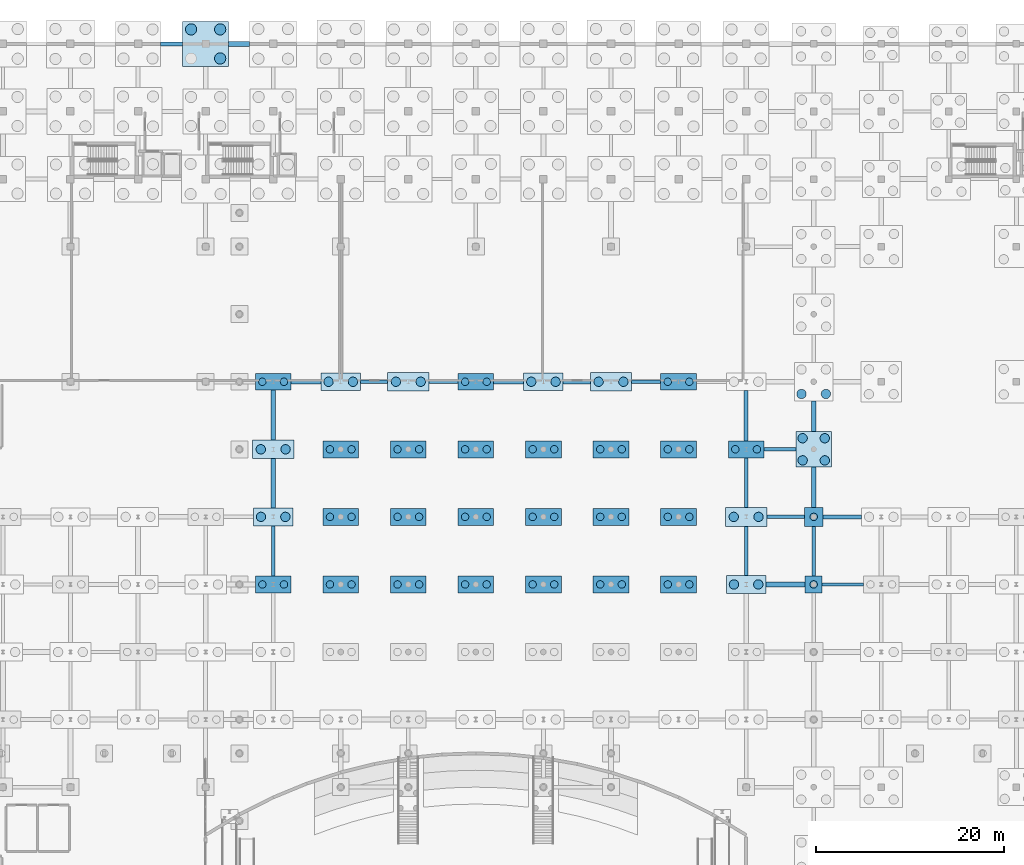
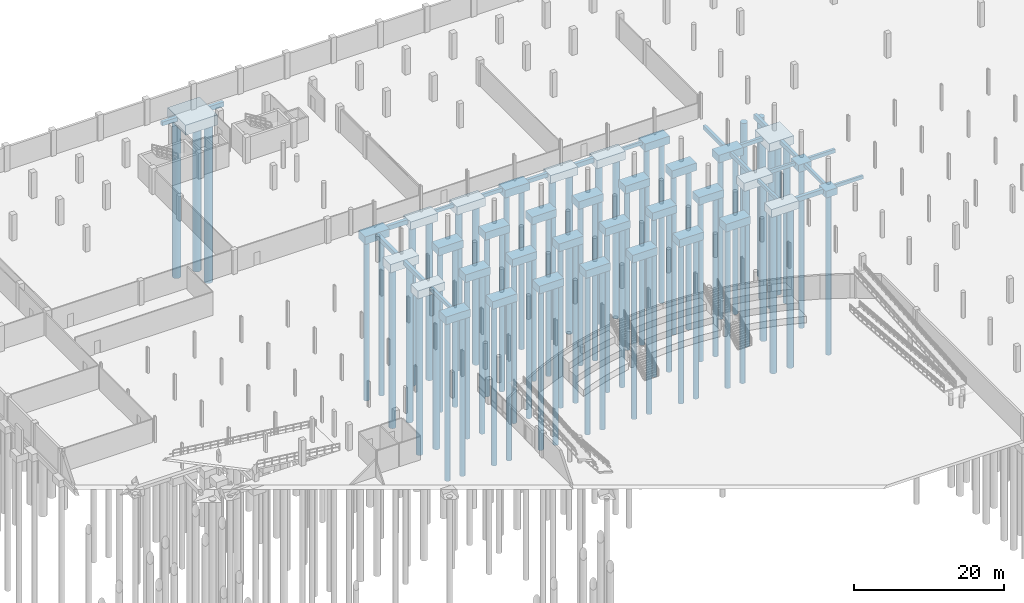
# One storey, part 9 of 56: 73 piles, 57 footings.
"""IFC4 building model written with IfcOpenShell, lengths in metres."""

from ifc_helpers import new_model, si_unit, direction, frame, origin, origin_2d, place, context, subcontext, project, spatial, rectangle, circle, extrude, material, material_profile, profile_set, type_object, element, save


model = new_model("IFC4")

# Units and contexts
model_context = context("Model", 3, precision=1e-05, world=origin(), true_north=direction((0.0, 1.0)))
body_context = subcontext(model_context, "Body", "Model", "MODEL_VIEW")
ifc_project = project(units=[si_unit("LENGTHUNIT", "METRE"), si_unit("AREAUNIT", "SQUARE_METRE"), si_unit("VOLUMEUNIT", "CUBIC_METRE"), si_unit("PLANEANGLEUNIT", "RADIAN"), si_unit("MASSUNIT", "GRAM", prefix="KILO")], contexts=[model_context])

# Site, building, storey
site_placement = place(None, origin())
site = spatial("IfcSite", under=ifc_project, at=site_placement, CompositionType="ELEMENT")
building_placement = place(site_placement, origin())
building = spatial("IfcBuilding", under=site, at=building_placement, Name="Suanplinth Sawtooth Commons", CompositionType="ELEMENT")
storey_placement = place(building_placement, frame((0.0, 0.0, -4.199951171875)))
storey = spatial("IfcBuildingStorey", under=building, at=storey_placement, Name="B1", CompositionType="ELEMENT", Elevation=-4.199951171875)

# Footings
ifc_material_1 = material(Name="Concrete C35/45", Category="concrete")
ifc_material_profile_1 = material_profile(ifc_material_1, rectangle(XDim=0.449951171875, YDim=0.64990234375, at=origin_2d()), Name="PC-GDR 450x650")
ifc_profile_set_1 = profile_set([ifc_material_profile_1], Name="Concrete C35/45")
footing_type_1 = type_object("IfcFootingType", Name="FB-01", PredefinedType="FOOTING_BEAM", material=ifc_profile_set_1)
footing_1_placement = place(storey_placement, frame((52.800048828125, 122.39990234375, -0.824951171875), z_axis=(1.0, 0.0, 0.0), x_axis=(0.0, 1.0, 0.0)))
element("IfcFooting", 1, at=footing_1_placement, inside=storey, type_object=footing_type_1, Name="Foundation Tie Beam 8-9/T", PredefinedType="FOOTING_BEAM", context=body_context, shape_type="SweptSolid", body=[
    extrude(rectangle(XDim=0.449951171875, YDim=0.64990234375, at=origin_2d()), origin(), (0.0, 0.0, 1.0), 2.349853515625),
])
footing_2_placement = place(storey_placement, frame((64.800048828125, 72.949951171875, -0.824951171875), z_axis=(0.0, 1.0, 0.0), x_axis=(-1.0, 0.0, 0.0)))
element("IfcFooting", 2, at=footing_2_placement, inside=storey, type_object=footing_type_1, Name="Foundation Tie Beam 10/L-M", PredefinedType="FOOTING_BEAM", context=body_context, shape_type="SweptSolid", body=[
    extrude(rectangle(XDim=0.449951171875, YDim=0.64990234375, at=origin_2d()), origin(), (0.0, 0.0, 1.0), 5.25),
])
footing_3_placement = place(storey_placement, frame((88.300048828125, 86.39990234375, -0.824951171875), z_axis=(1.0, 0.0, 0.0), x_axis=(0.0, 1.0, 0.0)))
element("IfcFooting", 3, at=footing_3_placement, inside=storey, type_object=footing_type_1, Name="Foundation Tie Beam 13-14/N", PredefinedType="FOOTING_BEAM", context=body_context, shape_type="SweptSolid", body=[
    extrude(rectangle(XDim=0.449951171875, YDim=0.64990234375, at=origin_2d()), origin(), (0.0, 0.0, 1.0), 3.199951171875),
])
footing_4_placement = place(storey_placement, frame((115.199951171875, 80.10009765625, -0.824951171875), z_axis=(0.0, 1.0, 0.0), x_axis=(-1.0, 0.0, 0.0)))
element("IfcFooting", 4, at=footing_4_placement, inside=storey, type_object=footing_type_1, Name="Foundation Tie Beam 17/M-N", PredefinedType="FOOTING_BEAM", context=body_context, shape_type="SweptSolid", body=[
    extrude(rectangle(XDim=0.449951171875, YDim=0.64990234375, at=origin_2d()), origin(), (0.0, 0.0, 1.0), 5.349853515625),
])
footing_5_placement = place(storey_placement, frame((122.39990234375, 73.0, -0.824951171875), z_axis=(0.0, 1.0, 0.0), x_axis=(-1.0, 0.0, 0.0)))
element("IfcFooting", 5, at=footing_5_placement, inside=storey, type_object=footing_type_1, Name="Foundation Tie Beam 18/L-M", PredefinedType="FOOTING_BEAM", context=body_context, shape_type="SweptSolid", body=[
    extrude(rectangle(XDim=0.449951171875, YDim=0.64990234375, at=origin_2d()), origin(), (0.0, 0.0, 1.0), 4.300048828125),
])
ifc_material_profile_2 = material_profile(ifc_material_1, rectangle(XDim=0.5, YDim=0.75, at=origin_2d()), Name="RC-GDR 500x750")
ifc_profile_set_2 = profile_set([ifc_material_profile_2], Name="Concrete C35/45")
footing_type_2 = type_object("IfcFootingType", Name="FB-02", PredefinedType="FOOTING_BEAM", material=ifc_profile_set_2)
footing_6_placement = place(storey_placement, frame((60.050048828125, 122.39990234375, -0.875), z_axis=(1.0, 0.0, 0.0), x_axis=(0.0, 1.0, 0.0)))
element("IfcFooting", 6, at=footing_6_placement, inside=storey, type_object=footing_type_2, Name="Foundation Tie Beam 9-10/T", PredefinedType="FOOTING_BEAM", context=body_context, shape_type="SweptSolid", body=[
    extrude(rectangle(XDim=0.5, YDim=0.75, at=origin_2d()), origin(), (0.0, 0.0, 1.0), 2.25),
])
footing_7_placement = place(storey_placement, frame((64.800048828125, 80.199951171875, -0.875), z_axis=(0.0, 1.0, 0.0), x_axis=(-1.0, 0.0, 0.0)))
element("IfcFooting", 7, at=footing_7_placement, inside=storey, type_object=footing_type_2, Name="Foundation Tie Beam 10/M-N", PredefinedType="FOOTING_BEAM", context=body_context, shape_type="SweptSolid", body=[
    extrude(rectangle(XDim=0.5, YDim=0.75, at=origin_2d()), origin(), (0.0, 0.0, 1.0), 5.300048828125),
])
footing_8_placement = place(storey_placement, frame((66.699951171875, 86.39990234375, -0.875), z_axis=(1.0, 0.0, 0.0), x_axis=(0.0, 1.0, 0.0)))
element("IfcFooting", 8, at=footing_8_placement, inside=storey, type_object=footing_type_2, Name="Foundation Tie Beam 10-11/N", PredefinedType="FOOTING_BEAM", context=body_context, shape_type="SweptSolid", body=[
    extrude(rectangle(XDim=0.5, YDim=0.75, at=origin_2d()), origin(), (0.0, 0.0, 1.0), 3.199951171875),
])
footing_9_placement = place(storey_placement, frame((95.699951171875, 86.39990234375, -0.875), z_axis=(1.0, 0.0, 0.0), x_axis=(0.0, 1.0, 0.0)))
element("IfcFooting", 9, at=footing_9_placement, inside=storey, type_object=footing_type_2, Name="Foundation Tie Beam 14-15/N", PredefinedType="FOOTING_BEAM", context=body_context, shape_type="SweptSolid", body=[
    extrude(rectangle(XDim=0.5, YDim=0.75, at=origin_2d()), origin(), (0.0, 0.0, 1.0), 2.900146484375),
])
footing_10_placement = place(storey_placement, frame((117.300048828125, 64.800048828125, -0.875), z_axis=(1.0, 0.0, 0.0), x_axis=(0.0, 1.0, 0.0)))
element("IfcFooting", 10, at=footing_10_placement, inside=storey, type_object=footing_type_2, Name="Foundation Tie Beam 17-18/K", PredefinedType="FOOTING_BEAM", context=body_context, shape_type="SweptSolid", body=[
    extrude(rectangle(XDim=0.5, YDim=0.75, at=origin_2d()), origin(), (0.0, 0.0, 1.0), 4.199951171875),
])
footing_11_placement = place(storey_placement, frame((122.39990234375, 81.10009765625, -0.875), z_axis=(0.0, 1.0, 0.0), x_axis=(-1.0, 0.0, 0.0)))
element("IfcFooting", 11, at=footing_11_placement, inside=storey, type_object=footing_type_2, Name="Foundation Tie Beam 18/M-N", PredefinedType="FOOTING_BEAM", context=body_context, shape_type="SweptSolid", body=[
    extrude(rectangle(XDim=0.5, YDim=0.75, at=origin_2d()), origin(), (0.0, 0.0, 1.0), 3.25),
])
ifc_material_profile_3 = material_profile(ifc_material_1, rectangle(XDim=0.35009765625, YDim=0.550048828125, at=origin_2d()), Name="PC-BM 350x550")
ifc_profile_set_3 = profile_set([ifc_material_profile_3], Name="Concrete C35/45")
footing_type_3 = type_object("IfcFootingType", Name="FB-03", PredefinedType="FOOTING_BEAM", material=ifc_profile_set_3)
footing_12_placement = place(storey_placement, frame((74.10009765625, 86.39990234375, -0.775146484375), z_axis=(1.0, 0.0, 0.0), x_axis=(0.0, 1.0, 0.0)))
element("IfcFooting", 12, at=footing_12_placement, inside=storey, type_object=footing_type_3, Name="Foundation Tie Beam 11-12/N", PredefinedType="FOOTING_BEAM", context=body_context, shape_type="SweptSolid", body=[
    extrude(rectangle(XDim=0.35009765625, YDim=0.550048828125, at=origin_2d()), origin(), (0.0, 0.0, 1.0), 2.89990234375),
])
footing_13_placement = place(storey_placement, frame((103.0, 86.39990234375, -0.775146484375), z_axis=(1.0, 0.0, 0.0), x_axis=(0.0, 1.0, 0.0)))
element("IfcFooting", 13, at=footing_13_placement, inside=storey, type_object=footing_type_3, Name="Foundation Tie Beam 15-16/N", PredefinedType="FOOTING_BEAM", context=body_context, shape_type="SweptSolid", body=[
    extrude(rectangle(XDim=0.35009765625, YDim=0.550048828125, at=origin_2d()), origin(), (0.0, 0.0, 1.0), 3.10009765625),
])
footing_14_placement = place(storey_placement, frame((115.199951171875, 65.75, -0.775146484375), z_axis=(0.0, 1.0, 0.0), x_axis=(-1.0, 0.0, 0.0)))
element("IfcFooting", 14, at=footing_14_placement, inside=storey, type_object=footing_type_3, Name="Foundation Tie Beam 17/K-L", PredefinedType="FOOTING_BEAM", context=body_context, shape_type="SweptSolid", body=[
    extrude(rectangle(XDim=0.35009765625, YDim=0.550048828125, at=origin_2d()), origin(), (0.0, 0.0, 1.0), 5.25),
])
footing_15_placement = place(storey_placement, frame((117.39990234375, 72.0, -0.775146484375), z_axis=(1.0, 0.0, 0.0), x_axis=(0.0, 1.0, 0.0)))
element("IfcFooting", 15, at=footing_15_placement, inside=storey, type_object=footing_type_3, Name="Foundation Tie Beam 17-18/L", PredefinedType="FOOTING_BEAM", context=body_context, shape_type="SweptSolid", body=[
    extrude(rectangle(XDim=0.35009765625, YDim=0.550048828125, at=origin_2d()), origin(), (0.0, 0.0, 1.0), 4.0),
])
footing_16_placement = place(storey_placement, frame((123.300048828125, 64.800048828125, -0.775146484375), z_axis=(1.0, 0.0, 0.0), x_axis=(0.0, 1.0, 0.0)))
element("IfcFooting", 16, at=footing_16_placement, inside=storey, type_object=footing_type_3, Name="Foundation Tie Beam 18-19/K", PredefinedType="FOOTING_BEAM", context=body_context, shape_type="SweptSolid", body=[
    extrude(rectangle(XDim=0.35009765625, YDim=0.550048828125, at=origin_2d()), origin(), (0.0, 0.0, 1.0), 4.39990234375),
])
ifc_material_profile_4 = material_profile(ifc_material_1, rectangle(XDim=0.39990234375, YDim=0.60009765625, at=origin_2d()), Name="PC-GDR 400x600")
ifc_profile_set_4 = profile_set([ifc_material_profile_4], Name="Concrete C35/45")
footing_type_4 = type_object("IfcFootingType", Name="FB-04", PredefinedType="FOOTING_BEAM", material=ifc_profile_set_4)
footing_17_placement = place(storey_placement, frame((64.800048828125, 65.699951171875, -0.800048828125), z_axis=(0.0, 1.0, 0.0), x_axis=(-1.0, 0.0, 0.0)))
element("IfcFooting", 17, at=footing_17_placement, inside=storey, type_object=footing_type_4, Name="Foundation Tie Beam 10/K-L", PredefinedType="FOOTING_BEAM", context=body_context, shape_type="SweptSolid", body=[
    extrude(rectangle(XDim=0.39990234375, YDim=0.60009765625, at=origin_2d()), origin(), (0.0, 0.0, 1.0), 5.35009765625),
])
footing_18_placement = place(storey_placement, frame((81.39990234375, 86.39990234375, -0.800048828125), z_axis=(1.0, 0.0, 0.0), x_axis=(0.0, 1.0, 0.0)))
element("IfcFooting", 18, at=footing_18_placement, inside=storey, type_object=footing_type_4, Name="Foundation Tie Beam 12-13/N", PredefinedType="FOOTING_BEAM", context=body_context, shape_type="SweptSolid", body=[
    extrude(rectangle(XDim=0.39990234375, YDim=0.60009765625, at=origin_2d()), origin(), (0.0, 0.0, 1.0), 3.10009765625),
])
footing_19_placement = place(storey_placement, frame((115.199951171875, 73.0, -0.800048828125), z_axis=(0.0, 1.0, 0.0), x_axis=(-1.0, 0.0, 0.0)))
element("IfcFooting", 19, at=footing_19_placement, inside=storey, type_object=footing_type_4, Name="Foundation Tie Beam 17/L-M", PredefinedType="FOOTING_BEAM", context=body_context, shape_type="SweptSolid", body=[
    extrude(rectangle(XDim=0.39990234375, YDim=0.60009765625, at=origin_2d()), origin(), (0.0, 0.0, 1.0), 5.300048828125),
])
footing_20_placement = place(storey_placement, frame((117.10009765625, 79.199951171875, -0.800048828125), z_axis=(1.0, 0.0, 0.0), x_axis=(0.0, 1.0, 0.0)))
element("IfcFooting", 20, at=footing_20_placement, inside=storey, type_object=footing_type_4, Name="Foundation Tie Beam 17-18/M", PredefinedType="FOOTING_BEAM", context=body_context, shape_type="SweptSolid", body=[
    extrude(rectangle(XDim=0.39990234375, YDim=0.60009765625, at=origin_2d()), origin(), (0.0, 0.0, 1.0), 3.39990234375),
])
footing_21_placement = place(storey_placement, frame((122.39990234375, 65.699951171875, -0.800048828125), z_axis=(0.0, 1.0, 0.0), x_axis=(-1.0, 0.0, 0.0)))
element("IfcFooting", 21, at=footing_21_placement, inside=storey, type_object=footing_type_4, Name="Foundation Tie Beam 18/K-L", PredefinedType="FOOTING_BEAM", context=body_context, shape_type="SweptSolid", body=[
    extrude(rectangle(XDim=0.39990234375, YDim=0.60009765625, at=origin_2d()), origin(), (0.0, 0.0, 1.0), 5.300048828125),
])
footing_22_placement = place(storey_placement, frame((123.39990234375, 72.0, -0.800048828125), z_axis=(1.0, 0.0, 0.0), x_axis=(0.0, 1.0, 0.0)))
element("IfcFooting", 22, at=footing_22_placement, inside=storey, type_object=footing_type_4, Name="Foundation Tie Beam 18-19/L", PredefinedType="FOOTING_BEAM", context=body_context, shape_type="SweptSolid", body=[
    extrude(rectangle(XDim=0.39990234375, YDim=0.60009765625, at=origin_2d()), origin(), (0.0, 0.0, 1.0), 4.10009765625),
])
footing_type_5 = type_object("IfcFootingType", Name="FC-01", PredefinedType="PILE_CAP", material=ifc_material_1)
footing_23_placement = place(storey_placement, frame((122.39990234375, 64.800048828125, -1.60009765625), z_axis=(0.0, 0.0, 1.0), x_axis=(1.0, 0.0, 0.0)))
element("IfcFooting", 23, at=footing_23_placement, inside=storey, type_object=footing_type_5, Name="Pile Cap 18/K", PredefinedType="PILE_CAP", context=body_context, shape_type="SweptSolid", body=[
    extrude(rectangle(XDim=1.800048828125, YDim=1.800048828125, at=origin_2d()), origin(), (0.0, 0.0, 1.0), 1.10009765625),
])
footing_type_6 = type_object("IfcFootingType", Name="FC-02", PredefinedType="PILE_CAP", material=ifc_material_1)
footing_24_placement = place(storey_placement, frame((122.39990234375, 72.0, -1.7001953125), z_axis=(0.0, 0.0, 1.0), x_axis=(1.0, 0.0, 0.0)))
element("IfcFooting", 24, at=footing_24_placement, inside=storey, type_object=footing_type_6, Name="Pile Cap 18/L", PredefinedType="PILE_CAP", context=body_context, shape_type="SweptSolid", body=[
    extrude(rectangle(XDim=2.0, YDim=2.0, at=origin_2d()), origin(), (0.0, 0.0, 1.0), 1.199951171875),
])
footing_type_7 = type_object("IfcFootingType", Name="FC-03", PredefinedType="PILE_CAP", material=ifc_material_1)
for number, where, z_axis, x_axis, name in (
    (25, (64.800048828125, 64.800048828125, -1.75), (0.0, 0.0, 1.0), (1.0, 0.0, 0.0), "Pile Cap 10/K"),
    (26, (64.800048828125, 86.39990234375, -1.75), (0.0, 0.0, 1.0), (1.0, 0.0, 0.0), "Pile Cap 10/N"),
    (27, (86.39990234375, 86.39990234375, -1.75), (0.0, 0.0, 1.0), (1.0, 0.0, 0.0), "Pile Cap 13/N"),
    (28, (108.0, 86.39990234375, -1.75), (0.0, 0.0, 1.0), (1.0, 0.0, 0.0), "Pile Cap 16/N"),
    (29, (115.199951171875, 79.199951171875, -1.75), (0.0, 0.0, 1.0), (1.0, 0.0, 0.0), "Pile Cap 17/M"),
    (30, (72.0, 64.800048828125, -1.75), (0.0, 0.0, 1.0), (1.0, 0.0, 0.0), "Hall Substructure Cap 11/K"),
    (31, (72.0, 72.0, -1.75), (0.0, 0.0, 1.0), (1.0, 0.0, 0.0), "Hall Substructure Cap 11/L"),
    (32, (72.0, 79.199951171875, -1.75), (0.0, 0.0, 1.0), (1.0, 0.0, 0.0), "Hall Substructure Cap 11/M"),
    (33, (79.199951171875, 64.800048828125, -1.75), (0.0, 0.0, 1.0), (1.0, 0.0, 0.0), "Hall Substructure Cap 12/K"),
    (34, (79.199951171875, 72.0, -1.75), (0.0, 0.0, 1.0), (1.0, 0.0, 0.0), "Hall Substructure Cap 12/L"),
    (35, (79.199951171875, 79.199951171875, -1.75), (0.0, 0.0, 1.0), (1.0, 0.0, 0.0), "Hall Substructure Cap 12/M"),
    (36, (86.39990234375, 64.800048828125, -1.75), (0.0, 0.0, 1.0), (1.0, 0.0, 0.0), "Hall Substructure Cap 13/K"),
    (37, (86.39990234375, 72.0, -1.75), (0.0, 0.0, 1.0), (1.0, 0.0, 0.0), "Hall Substructure Cap 13/L"),
    (38, (86.39990234375, 79.199951171875, -1.75), (0.0, 0.0, 1.0), (1.0, 0.0, 0.0), "Hall Substructure Cap 13/M"),
    (39, (93.60009765625, 64.800048828125, -1.75), (0.0, 0.0, 1.0), (1.0, 0.0, 0.0), "Hall Substructure Cap 14/K"),
    (40, (93.60009765625, 72.0, -1.75), (0.0, 0.0, 1.0), (1.0, 0.0, 0.0), "Hall Substructure Cap 14/L"),
    (41, (93.60009765625, 79.199951171875, -1.75), (0.0, 0.0, 1.0), (1.0, 0.0, 0.0), "Hall Substructure Cap 14/M"),
    (42, (100.800048828125, 64.800048828125, -1.75), (0.0, 0.0, 1.0), (1.0, 0.0, 0.0), "Hall Substructure Cap 15/K"),
    (43, (100.800048828125, 72.0, -1.75), (0.0, 0.0, 1.0), (1.0, 0.0, 0.0), "Hall Substructure Cap 15/L"),
    (44, (100.800048828125, 79.199951171875, -1.75), (0.0, 0.0, 1.0), (1.0, 0.0, 0.0), "Hall Substructure Cap 15/M"),
    (45, (108.0, 64.800048828125, -1.75), (0.0, 0.0, 1.0), (1.0, 0.0, 0.0), "Hall Substructure Cap 16/K"),
    (46, (108.0, 72.0, -1.75), (0.0, 0.0, 1.0), (1.0, 0.0, 0.0), "Hall Substructure Cap 16/L"),
    (47, (108.0, 79.199951171875, -1.75), (0.0, 0.0, 1.0), (1.0, 0.0, 0.0), "Hall Substructure Cap 16/M"),
):
    element("IfcFooting", number, at=place(storey_placement, frame(where, z_axis=z_axis, x_axis=x_axis)), inside=storey, type_object=footing_type_7, Name=name, PredefinedType="PILE_CAP", context=body_context, shape_type="SweptSolid", body=[
        extrude(rectangle(XDim=3.800048828125, YDim=1.800048828125, at=origin_2d()), origin(), (0.0, 0.0, 1.0), 1.25),
    ])
footing_type_8 = type_object("IfcFootingType", Name="FC-04", PredefinedType="PILE_CAP", material=ifc_material_1)
for number, where, z_axis, x_axis, name in (
    (48, (64.800048828125, 72.0, -1.80029296875), (0.0, 0.0, 1.0), (1.0, 0.0, 0.0), "Pile Cap 10/L"),
    (49, (72.0, 86.39990234375, -1.80029296875), (0.0, 0.0, 1.0), (1.0, 0.0, 0.0), "Pile Cap 11/N"),
    (50, (93.60009765625, 86.39990234375, -1.80029296875), (0.0, 0.0, 1.0), (1.0, 0.0, 0.0), "Pile Cap 14/N"),
    (51, (115.199951171875, 64.800048828125, -1.80029296875), (0.0, 0.0, 1.0), (1.0, 0.0, 0.0), "Pile Cap 17/K"),
):
    element("IfcFooting", number, at=place(storey_placement, frame(where, z_axis=z_axis, x_axis=x_axis)), inside=storey, type_object=footing_type_8, Name=name, PredefinedType="PILE_CAP", context=body_context, shape_type="SweptSolid", body=[
        extrude(rectangle(XDim=4.199951171875, YDim=1.89990234375, at=origin_2d()), origin(), (0.0, 0.0, 1.0), 1.300048828125),
    ])
footing_type_9 = type_object("IfcFootingType", Name="FC-05", PredefinedType="PILE_CAP", material=ifc_material_1)
for number, where, z_axis, x_axis, name in (
    (52, (64.800048828125, 79.199951171875, -1.85009765625), (0.0, 0.0, 1.0), (1.0, 0.0, 0.0), "Pile Cap 10/M"),
    (53, (79.199951171875, 86.39990234375, -1.85009765625), (0.0, 0.0, 1.0), (1.0, 0.0, 0.0), "Pile Cap 12/N"),
    (54, (100.800048828125, 86.39990234375, -1.85009765625), (0.0, 0.0, 1.0), (1.0, 0.0, 0.0), "Pile Cap 15/N"),
    (55, (115.199951171875, 72.0, -1.85009765625), (0.0, 0.0, 1.0), (1.0, 0.0, 0.0), "Pile Cap 17/L"),
):
    element("IfcFooting", number, at=place(storey_placement, frame(where, z_axis=z_axis, x_axis=x_axis)), inside=storey, type_object=footing_type_9, Name=name, PredefinedType="PILE_CAP", context=body_context, shape_type="SweptSolid", body=[
        extrude(rectangle(XDim=4.39990234375, YDim=2.0, at=origin_2d()), origin(), (0.0, 0.0, 1.0), 1.35009765625),
    ])
footing_type_10 = type_object("IfcFootingType", Name="FC-06", PredefinedType="PILE_CAP", material=ifc_material_1)
footing_25_placement = place(storey_placement, frame((122.39990234375, 79.199951171875, -1.85009765625), z_axis=(0.0, 0.0, 1.0), x_axis=(1.0, 0.0, 0.0)))
element("IfcFooting", 56, at=footing_25_placement, inside=storey, type_object=footing_type_10, Name="Pile Cap 18/M", PredefinedType="PILE_CAP", context=body_context, shape_type="SweptSolid", body=[
    extrude(rectangle(XDim=3.800048828125, YDim=3.800048828125, at=origin_2d()), origin(), (0.0, 0.0, 1.0), 1.35009765625),
])
footing_type_11 = type_object("IfcFootingType", Name="FC-12", PredefinedType="PILE_CAP", material=ifc_material_1)
footing_26_placement = place(storey_placement, frame((57.60009765625, 122.39990234375, -2.14990234375), z_axis=(0.0, 0.0, 1.0), x_axis=(1.0, 0.0, 0.0)))
element("IfcFooting", 57, at=footing_26_placement, inside=storey, type_object=footing_type_11, Name="Pile Cap 9/T", PredefinedType="PILE_CAP", context=body_context, shape_type="SweptSolid", body=[
    extrude(rectangle(XDim=4.89990234375, YDim=4.800048828125, at=origin_2d()), origin(), (0.0, 0.0, 1.0), 1.64990234375),
])

# Piles
ifc_material_2 = material(Name="Concrete C32/40", Category="concrete")
ifc_material_profile_5 = material_profile(ifc_material_2, circle(Radius=0.39990234375, at=origin_2d()), Name="PILE D800")
ifc_profile_set_5 = profile_set([ifc_material_profile_5], Name="Concrete C32/40")
pile_type_1 = type_object("IfcPileType", Name="P-01", PredefinedType="BORED", material=ifc_profile_set_5)
for number, where, z_axis, x_axis, name in (
    (58, (63.64990234375, 64.800048828125, -1.650146484375), (0.0, 0.0, -1.0), (1.0, 0.0, 0.0), "Bored Pile 10/K-1"),
    (59, (65.949951171875, 64.800048828125, -1.650146484375), (0.0, 0.0, -1.0), (1.0, 0.0, 0.0), "Bored Pile 10/K-2"),
    (60, (63.64990234375, 86.39990234375, -1.650146484375), (0.0, 0.0, -1.0), (1.0, 0.0, 0.0), "Bored Pile 10/N-1"),
    (61, (65.949951171875, 86.39990234375, -1.650146484375), (0.0, 0.0, -1.0), (1.0, 0.0, 0.0), "Bored Pile 10/N-2"),
    (62, (85.25, 86.39990234375, -1.650146484375), (0.0, 0.0, -1.0), (1.0, 0.0, 0.0), "Bored Pile 13/N-1"),
    (63, (87.550048828125, 86.39990234375, -1.650146484375), (0.0, 0.0, -1.0), (1.0, 0.0, 0.0), "Bored Pile 13/N-2"),
    (64, (106.85009765625, 86.39990234375, -1.650146484375), (0.0, 0.0, -1.0), (1.0, 0.0, 0.0), "Bored Pile 16/N-1"),
    (65, (109.14990234375, 86.39990234375, -1.650146484375), (0.0, 0.0, -1.0), (1.0, 0.0, 0.0), "Bored Pile 16/N-2"),
    (66, (114.050048828125, 79.199951171875, -1.650146484375), (0.0, 0.0, -1.0), (1.0, 0.0, 0.0), "Bored Pile 17/M-1"),
    (67, (116.35009765625, 79.199951171875, -1.650146484375), (0.0, 0.0, -1.0), (1.0, 0.0, 0.0), "Bored Pile 17/M-2"),
):
    element("IfcPile", number, at=place(storey_placement, frame(where, z_axis=z_axis, x_axis=x_axis)), inside=storey, type_object=pile_type_1, Name=name, PredefinedType="BORED", context=body_context, shape_type="SweptSolid", body=[
        extrude(circle(Radius=0.39990234375, at=origin_2d()), origin(), (0.0, 0.0, 1.0), 26.14990234375),
    ])
pile_1_placement = place(storey_placement, frame((122.39990234375, 64.800048828125, -1.5), z_axis=(0.0, 0.0, -1.0), x_axis=(1.0, 0.0, 0.0)))
element("IfcPile", 68, at=pile_1_placement, inside=storey, type_object=pile_type_1, Name="Bored Pile 18/K-1", PredefinedType="BORED", context=body_context, shape_type="SweptSolid", body=[
    extrude(circle(Radius=0.39990234375, at=origin_2d()), origin(), (0.0, 0.0, 1.0), 26.300048828125),
])
pile_2_placement = place(storey_placement, frame((122.39990234375, 72.0, -1.60009765625), z_axis=(0.0, 0.0, -1.0), x_axis=(1.0, 0.0, 0.0)))
element("IfcPile", 69, at=pile_2_placement, inside=storey, type_object=pile_type_1, Name="Bored Pile 18/L-1", PredefinedType="BORED", context=body_context, shape_type="SweptSolid", body=[
    extrude(circle(Radius=0.39990234375, at=origin_2d()), origin(), (0.0, 0.0, 1.0), 26.199951171875),
])
for number, where, z_axis, x_axis, name in (
    (70, (70.85009765625, 64.800048828125, -1.650146484375), (0.0, 0.0, -1.0), (1.0, 0.0, 0.0), "Hall Substructure Pile 11/K-1"),
    (71, (73.14990234375, 64.800048828125, -1.650146484375), (0.0, 0.0, -1.0), (1.0, 0.0, 0.0), "Hall Substructure Pile 11/K-2"),
    (72, (70.85009765625, 72.0, -1.650146484375), (0.0, 0.0, -1.0), (1.0, 0.0, 0.0), "Hall Substructure Pile 11/L-1"),
    (73, (73.14990234375, 72.0, -1.650146484375), (0.0, 0.0, -1.0), (1.0, 0.0, 0.0), "Hall Substructure Pile 11/L-2"),
    (74, (70.85009765625, 79.199951171875, -1.650146484375), (0.0, 0.0, -1.0), (1.0, 0.0, 0.0), "Hall Substructure Pile 11/M-1"),
    (75, (73.14990234375, 79.199951171875, -1.650146484375), (0.0, 0.0, -1.0), (1.0, 0.0, 0.0), "Hall Substructure Pile 11/M-2"),
    (76, (78.050048828125, 64.800048828125, -1.650146484375), (0.0, 0.0, -1.0), (1.0, 0.0, 0.0), "Hall Substructure Pile 12/K-1"),
    (77, (80.35009765625, 64.800048828125, -1.650146484375), (0.0, 0.0, -1.0), (1.0, 0.0, 0.0), "Hall Substructure Pile 12/K-2"),
    (78, (78.050048828125, 72.0, -1.650146484375), (0.0, 0.0, -1.0), (1.0, 0.0, 0.0), "Hall Substructure Pile 12/L-1"),
    (79, (80.35009765625, 72.0, -1.650146484375), (0.0, 0.0, -1.0), (1.0, 0.0, 0.0), "Hall Substructure Pile 12/L-2"),
    (80, (78.050048828125, 79.199951171875, -1.650146484375), (0.0, 0.0, -1.0), (1.0, 0.0, 0.0), "Hall Substructure Pile 12/M-1"),
    (81, (80.35009765625, 79.199951171875, -1.650146484375), (0.0, 0.0, -1.0), (1.0, 0.0, 0.0), "Hall Substructure Pile 12/M-2"),
    (82, (85.25, 64.800048828125, -1.650146484375), (0.0, 0.0, -1.0), (1.0, 0.0, 0.0), "Hall Substructure Pile 13/K-1"),
    (83, (87.550048828125, 64.800048828125, -1.650146484375), (0.0, 0.0, -1.0), (1.0, 0.0, 0.0), "Hall Substructure Pile 13/K-2"),
    (84, (85.25, 72.0, -1.650146484375), (0.0, 0.0, -1.0), (1.0, 0.0, 0.0), "Hall Substructure Pile 13/L-1"),
    (85, (87.550048828125, 72.0, -1.650146484375), (0.0, 0.0, -1.0), (1.0, 0.0, 0.0), "Hall Substructure Pile 13/L-2"),
    (86, (85.25, 79.199951171875, -1.650146484375), (0.0, 0.0, -1.0), (1.0, 0.0, 0.0), "Hall Substructure Pile 13/M-1"),
    (87, (87.550048828125, 79.199951171875, -1.650146484375), (0.0, 0.0, -1.0), (1.0, 0.0, 0.0), "Hall Substructure Pile 13/M-2"),
    (88, (92.449951171875, 64.800048828125, -1.650146484375), (0.0, 0.0, -1.0), (1.0, 0.0, 0.0), "Hall Substructure Pile 14/K-1"),
    (89, (94.75, 64.800048828125, -1.650146484375), (0.0, 0.0, -1.0), (1.0, 0.0, 0.0), "Hall Substructure Pile 14/K-2"),
    (90, (92.449951171875, 72.0, -1.650146484375), (0.0, 0.0, -1.0), (1.0, 0.0, 0.0), "Hall Substructure Pile 14/L-1"),
    (91, (94.75, 72.0, -1.650146484375), (0.0, 0.0, -1.0), (1.0, 0.0, 0.0), "Hall Substructure Pile 14/L-2"),
    (92, (92.449951171875, 79.199951171875, -1.650146484375), (0.0, 0.0, -1.0), (1.0, 0.0, 0.0), "Hall Substructure Pile 14/M-1"),
    (93, (94.75, 79.199951171875, -1.650146484375), (0.0, 0.0, -1.0), (1.0, 0.0, 0.0), "Hall Substructure Pile 14/M-2"),
    (94, (99.64990234375, 64.800048828125, -1.650146484375), (0.0, 0.0, -1.0), (1.0, 0.0, 0.0), "Hall Substructure Pile 15/K-1"),
    (95, (101.949951171875, 64.800048828125, -1.650146484375), (0.0, 0.0, -1.0), (1.0, 0.0, 0.0), "Hall Substructure Pile 15/K-2"),
    (96, (99.64990234375, 72.0, -1.650146484375), (0.0, 0.0, -1.0), (1.0, 0.0, 0.0), "Hall Substructure Pile 15/L-1"),
    (97, (101.949951171875, 72.0, -1.650146484375), (0.0, 0.0, -1.0), (1.0, 0.0, 0.0), "Hall Substructure Pile 15/L-2"),
    (98, (99.64990234375, 79.199951171875, -1.650146484375), (0.0, 0.0, -1.0), (1.0, 0.0, 0.0), "Hall Substructure Pile 15/M-1"),
    (99, (101.949951171875, 79.199951171875, -1.650146484375), (0.0, 0.0, -1.0), (1.0, 0.0, 0.0), "Hall Substructure Pile 15/M-2"),
    (100, (106.85009765625, 64.800048828125, -1.650146484375), (0.0, 0.0, -1.0), (1.0, 0.0, 0.0), "Hall Substructure Pile 16/K-1"),
    (101, (109.14990234375, 64.800048828125, -1.650146484375), (0.0, 0.0, -1.0), (1.0, 0.0, 0.0), "Hall Substructure Pile 16/K-2"),
    (102, (106.85009765625, 72.0, -1.650146484375), (0.0, 0.0, -1.0), (1.0, 0.0, 0.0), "Hall Substructure Pile 16/L-1"),
    (103, (109.14990234375, 72.0, -1.650146484375), (0.0, 0.0, -1.0), (1.0, 0.0, 0.0), "Hall Substructure Pile 16/L-2"),
    (104, (106.85009765625, 79.199951171875, -1.650146484375), (0.0, 0.0, -1.0), (1.0, 0.0, 0.0), "Hall Substructure Pile 16/M-1"),
    (105, (109.14990234375, 79.199951171875, -1.650146484375), (0.0, 0.0, -1.0), (1.0, 0.0, 0.0), "Hall Substructure Pile 16/M-2"),
):
    element("IfcPile", number, at=place(storey_placement, frame(where, z_axis=z_axis, x_axis=x_axis)), inside=storey, type_object=pile_type_1, Name=name, PredefinedType="BORED", context=body_context, shape_type="SweptSolid", body=[
        extrude(circle(Radius=0.39990234375, at=origin_2d()), origin(), (0.0, 0.0, 1.0), 26.14990234375),
    ])
ifc_material_profile_6 = material_profile(ifc_material_2, circle(Radius=0.5, at=origin_2d()), Name="PILE D1000")
ifc_profile_set_6 = profile_set([ifc_material_profile_6], Name="Concrete C32/40")
pile_type_2 = type_object("IfcPileType", Name="P-02", PredefinedType="BORED", material=ifc_profile_set_6)
for number, where, z_axis, x_axis, name in (
    (106, (63.5, 72.0, -1.699951171875), (0.0, 0.0, -1.0), (1.0, 0.0, 0.0), "Bored Pile 10/L-1"),
    (107, (66.10009765625, 72.0, -1.699951171875), (0.0, 0.0, -1.0), (1.0, 0.0, 0.0), "Bored Pile 10/L-2"),
):
    element("IfcPile", number, at=place(storey_placement, frame(where, z_axis=z_axis, x_axis=x_axis)), inside=storey, type_object=pile_type_2, Name=name, PredefinedType="BORED", context=body_context, shape_type="SweptSolid", body=[
        extrude(circle(Radius=0.5, at=origin_2d()), origin(), (0.0, 0.0, 1.0), 26.10009765625),
    ])
for number, where, z_axis, x_axis, name in (
    (108, (63.47998046875, 79.199951171875, -1.75), (0.0, 0.0, -1.0), (1.0, 0.0, 0.0), "Bored Pile 10/M-1"),
    (109, (66.1201171875, 79.199951171875, -1.75), (0.0, 0.0, -1.0), (1.0, 0.0, 0.0), "Bored Pile 10/M-2"),
):
    element("IfcPile", number, at=place(storey_placement, frame(where, z_axis=z_axis, x_axis=x_axis)), inside=storey, type_object=pile_type_2, Name=name, PredefinedType="BORED", context=body_context, shape_type="SweptSolid", body=[
        extrude(circle(Radius=0.5, at=origin_2d()), origin(), (0.0, 0.0, 1.0), 26.050048828125),
    ])
for number, where, z_axis, x_axis, name in (
    (110, (70.699951171875, 86.39990234375, -1.699951171875), (0.0, 0.0, -1.0), (1.0, 0.0, 0.0), "Bored Pile 11/N-1"),
    (111, (73.300048828125, 86.39990234375, -1.699951171875), (0.0, 0.0, -1.0), (1.0, 0.0, 0.0), "Bored Pile 11/N-2"),
):
    element("IfcPile", number, at=place(storey_placement, frame(where, z_axis=z_axis, x_axis=x_axis)), inside=storey, type_object=pile_type_2, Name=name, PredefinedType="BORED", context=body_context, shape_type="SweptSolid", body=[
        extrude(circle(Radius=0.5, at=origin_2d()), origin(), (0.0, 0.0, 1.0), 26.10009765625),
    ])
for number, where, z_axis, x_axis, name in (
    (112, (77.8798828125, 86.39990234375, -1.75), (0.0, 0.0, -1.0), (1.0, 0.0, 0.0), "Bored Pile 12/N-1"),
    (113, (80.52001953125, 86.39990234375, -1.75), (0.0, 0.0, -1.0), (1.0, 0.0, 0.0), "Bored Pile 12/N-2"),
):
    element("IfcPile", number, at=place(storey_placement, frame(where, z_axis=z_axis, x_axis=x_axis)), inside=storey, type_object=pile_type_2, Name=name, PredefinedType="BORED", context=body_context, shape_type="SweptSolid", body=[
        extrude(circle(Radius=0.5, at=origin_2d()), origin(), (0.0, 0.0, 1.0), 26.050048828125),
    ])
for number, where, z_axis, x_axis, name in (
    (114, (92.300048828125, 86.39990234375, -1.699951171875), (0.0, 0.0, -1.0), (1.0, 0.0, 0.0), "Bored Pile 14/N-1"),
    (115, (94.89990234375, 86.39990234375, -1.699951171875), (0.0, 0.0, -1.0), (1.0, 0.0, 0.0), "Bored Pile 14/N-2"),
):
    element("IfcPile", number, at=place(storey_placement, frame(where, z_axis=z_axis, x_axis=x_axis)), inside=storey, type_object=pile_type_2, Name=name, PredefinedType="BORED", context=body_context, shape_type="SweptSolid", body=[
        extrude(circle(Radius=0.5, at=origin_2d()), origin(), (0.0, 0.0, 1.0), 26.10009765625),
    ])
for number, where, z_axis, x_axis, name in (
    (116, (99.47998046875, 86.39990234375, -1.75), (0.0, 0.0, -1.0), (1.0, 0.0, 0.0), "Bored Pile 15/N-1"),
    (117, (102.1201171875, 86.39990234375, -1.75), (0.0, 0.0, -1.0), (1.0, 0.0, 0.0), "Bored Pile 15/N-2"),
):
    element("IfcPile", number, at=place(storey_placement, frame(where, z_axis=z_axis, x_axis=x_axis)), inside=storey, type_object=pile_type_2, Name=name, PredefinedType="BORED", context=body_context, shape_type="SweptSolid", body=[
        extrude(circle(Radius=0.5, at=origin_2d()), origin(), (0.0, 0.0, 1.0), 26.050048828125),
    ])
for number, where, z_axis, x_axis, name in (
    (118, (113.89990234375, 64.800048828125, -1.699951171875), (0.0, 0.0, -1.0), (1.0, 0.0, 0.0), "Bored Pile 17/K-1"),
    (119, (116.5, 64.800048828125, -1.699951171875), (0.0, 0.0, -1.0), (1.0, 0.0, 0.0), "Bored Pile 17/K-2"),
):
    element("IfcPile", number, at=place(storey_placement, frame(where, z_axis=z_axis, x_axis=x_axis)), inside=storey, type_object=pile_type_2, Name=name, PredefinedType="BORED", context=body_context, shape_type="SweptSolid", body=[
        extrude(circle(Radius=0.5, at=origin_2d()), origin(), (0.0, 0.0, 1.0), 26.10009765625),
    ])
for number, where, z_axis, x_axis, name in (
    (120, (113.8798828125, 72.0, -1.75), (0.0, 0.0, -1.0), (1.0, 0.0, 0.0), "Bored Pile 17/L-1"),
    (121, (116.52001953125, 72.0, -1.75), (0.0, 0.0, -1.0), (1.0, 0.0, 0.0), "Bored Pile 17/L-2"),
    (122, (121.219970703125, 78.02001953125, -1.75), (0.0, 0.0, -1.0), (1.0, 0.0, 0.0), "Bored Pile 18/M-1"),
    (123, (123.580078125, 78.02001953125, -1.75), (0.0, 0.0, -1.0), (1.0, 0.0, 0.0), "Bored Pile 18/M-2"),
    (124, (121.219970703125, 80.3798828125, -1.75), (0.0, 0.0, -1.0), (1.0, 0.0, 0.0), "Bored Pile 18/M-3"),
    (125, (123.580078125, 80.3798828125, -1.75), (0.0, 0.0, -1.0), (1.0, 0.0, 0.0), "Bored Pile 18/M-4"),
):
    element("IfcPile", number, at=place(storey_placement, frame(where, z_axis=z_axis, x_axis=x_axis)), inside=storey, type_object=pile_type_2, Name=name, PredefinedType="BORED", context=body_context, shape_type="SweptSolid", body=[
        extrude(circle(Radius=0.5, at=origin_2d()), origin(), (0.0, 0.0, 1.0), 26.050048828125),
    ])
for number, where, z_axis, x_axis, name in (
    (126, (121.10009765625, 85.10009765625, -1.800048828125), (0.0, 0.0, -1.0), (1.0, 0.0, 0.0), "Bored Pile 18/N-1"),
    (127, (123.699951171875, 85.10009765625, -1.800048828125), (0.0, 0.0, -1.0), (1.0, 0.0, 0.0), "Bored Pile 18/N-2"),
):
    element("IfcPile", number, at=place(storey_placement, frame(where, z_axis=z_axis, x_axis=x_axis)), inside=storey, type_object=pile_type_2, Name=name, PredefinedType="BORED", context=body_context, shape_type="SweptSolid", body=[
        extrude(circle(Radius=0.5, at=origin_2d()), origin(), (0.0, 0.0, 1.0), 26.0),
    ])
ifc_material_profile_7 = material_profile(ifc_material_2, circle(Radius=0.60009765625, at=origin_2d()), Name="PILE D1200")
ifc_profile_set_7 = profile_set([ifc_material_profile_7], Name="Concrete C32/40")
pile_type_3 = type_object("IfcPileType", Name="P-03", PredefinedType="BORED", material=ifc_profile_set_7)
for number, where, z_axis, x_axis, name in (
    (128, (59.14990234375, 120.85009765625, -2.050048828125), (0.0, 0.0, -1.0), (1.0, 0.0, 0.0), "Bored Pile 9/T-2"),
    (129, (56.050048828125, 123.949951171875, -2.050048828125), (0.0, 0.0, -1.0), (1.0, 0.0, 0.0), "Bored Pile 9/T-3"),
    (130, (59.14990234375, 123.949951171875, -2.050048828125), (0.0, 0.0, -1.0), (1.0, 0.0, 0.0), "Bored Pile 9/T-4"),
):
    element("IfcPile", number, at=place(storey_placement, frame(where, z_axis=z_axis, x_axis=x_axis)), inside=storey, type_object=pile_type_3, Name=name, PredefinedType="BORED", context=body_context, shape_type="SweptSolid", body=[
        extrude(circle(Radius=0.60009765625, at=origin_2d()), origin(), (0.0, 0.0, 1.0), 25.75),
    ])

save(model, "model.ifc")
